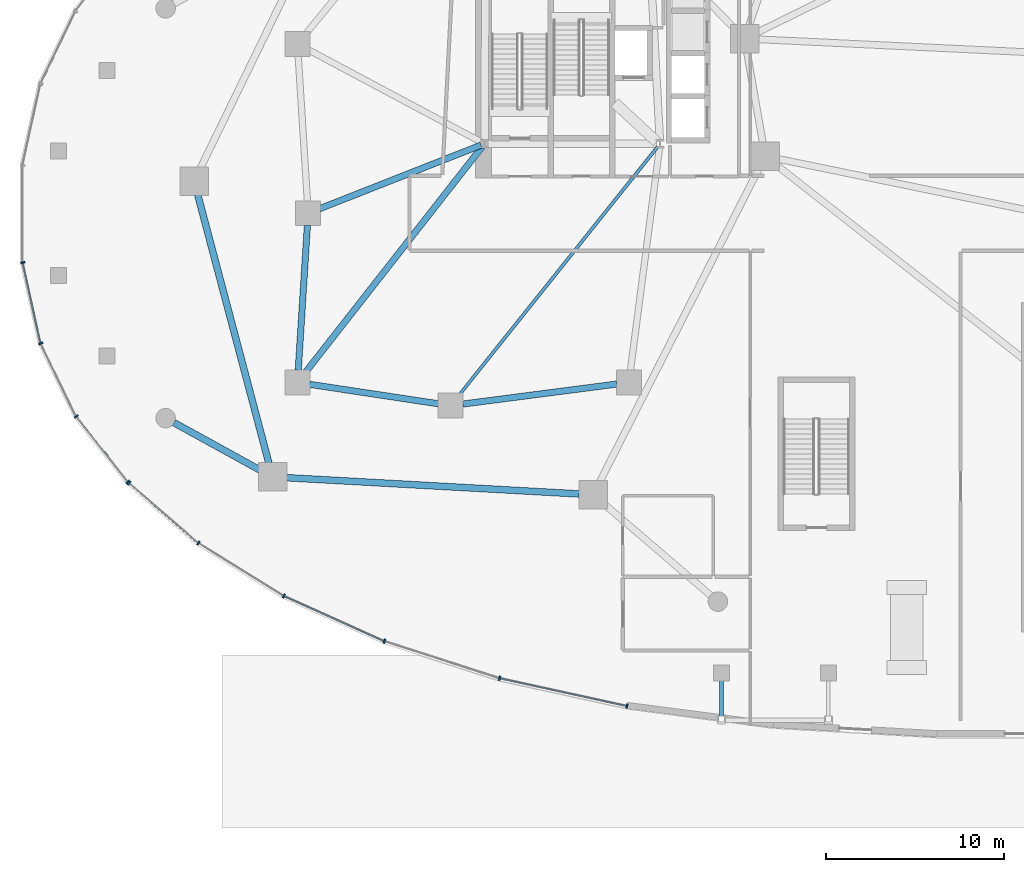
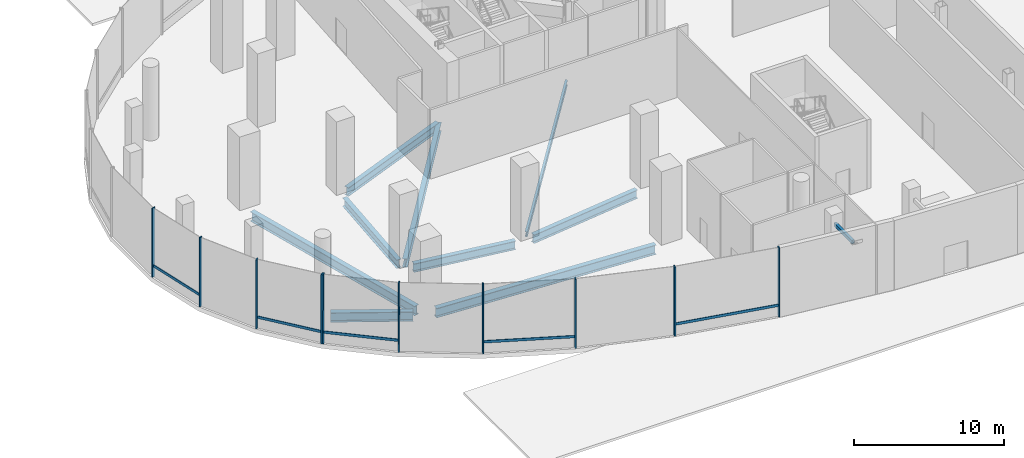
# One storey, part 3 of 20: 15 members, 10 beams, 2 elements without a shape of their own.
"""IFC4 building model written with IfcOpenShell, lengths in metres."""

import ifcopenshell
import ifcopenshell.guid

model = None  # the IFC model being written
_history = None  # IfcOwnerHistory: only IFC2X3 demands one
_inside = {}  # id of a spatial element -> (the spatial element, [elements in it])
_under = {}  # id of a project, library or spatial element -> (it, [spatial elements below it])
_declared = {}  # id of a project -> (the project, [libraries it declares])
_typed = {}  # id of a type object -> (the type object, [elements of that type])
_made_of = {}  # id of a material, layer set ... -> (it, [elements and type objects made of it])


def new_model(schema):
    """Start an empty IFC model of exactly this schema.

    Asked for "IFC4X3", IfcOpenShell would pick the latest addendum, in which some entities
    have other attributes; the version numbers below select the first issue.
    IFC2X3 requires an IfcOwnerHistory on every rooted entity: one is made here for all.
    """
    global model, _history
    if schema == "IFC4X3":
        model = ifcopenshell.file(schema_version=(4, 3, 0, 0))
    else:
        model = ifcopenshell.file(schema=schema)
    _inside.clear()
    _under.clear()
    _declared.clear()
    _typed.clear()
    _made_of.clear()
    _history = None
    if model.schema == "IFC2X3":
        org = make("IfcOrganization", Name="unknown")
        user = make(
            "IfcPersonAndOrganization",
            ThePerson=make("IfcPerson", FamilyName="unknown"),
            TheOrganization=org,
        )
        app = make(
            "IfcApplication",
            ApplicationDeveloper=org,
            Version="unknown",
            ApplicationFullName="unknown",
            ApplicationIdentifier="unknown",
        )
        _history = make(
            "IfcOwnerHistory",
            OwningUser=user,
            OwningApplication=app,
            ChangeAction="ADDED",
            CreationDate=0,
        )
    return model


def make(cls, **values):
    """One entity of the class cls with the attributes given. An attribute that is None is left unset."""
    return model.create_entity(
        cls, **{name: value for name, value in values.items() if value is not None}
    )


def rooted(cls, **values):
    """An entity with a GlobalId (a new one), such as an element, a storey or a relation."""
    return make(cls, GlobalId=ifcopenshell.guid.new(), OwnerHistory=_history, **values)


def si_unit(unit_type, name, prefix=None):
    """IfcSIUnit, for example si_unit("LENGTHUNIT", "METRE", prefix="MILLI")."""
    return make("IfcSIUnit", UnitType=unit_type, Prefix=prefix, Name=name)


def assignment(units):
    """IfcUnitAssignment: the units of a project."""
    return None if units is None else make("IfcUnitAssignment", Units=units)


def point(xyz):
    """IfcCartesianPoint."""
    return None if xyz is None else make("IfcCartesianPoint", Coordinates=xyz)


def direction(xyz):
    """IfcDirection."""
    return None if xyz is None else make("IfcDirection", DirectionRatios=xyz)


def frame(location, z_axis=None, x_axis=None):
    """IfcAxis2Placement3D, a coordinate frame: its origin and axes. An axis left out is left unset."""
    return make(
        "IfcAxis2Placement3D",
        Location=point(location),
        Axis=direction(z_axis),
        RefDirection=direction(x_axis),
    )


def frame_2d(location, x_axis=None):
    """IfcAxis2Placement2D, a coordinate frame in the plane: its origin and x axis."""
    return make(
        "IfcAxis2Placement2D", Location=point(location), RefDirection=direction(x_axis)
    )


def origin():
    """The frame at (0, 0, 0) with its axes left unset."""
    return frame((0.0, 0.0, 0.0))


def origin_2d():
    """The frame at (0, 0) in the plane with its x axis left unset."""
    return frame_2d((0.0, 0.0))


def place(relative_to, where):
    """IfcLocalPlacement: puts the frame where relative to a parent placement (None: the world)."""
    return make(
        "IfcLocalPlacement", PlacementRelTo=relative_to, RelativePlacement=where
    )


def context(
    kind, dimensions, precision=None, world=None, true_north=None, identifier=None
):
    """IfcGeometricRepresentationContext, for example the 3D "Model" context."""
    return make(
        "IfcGeometricRepresentationContext",
        ContextIdentifier=identifier,
        ContextType=kind,
        CoordinateSpaceDimension=dimensions,
        Precision=precision,
        WorldCoordinateSystem=world,
        TrueNorth=true_north,
    )


def subcontext(parent, identifier, kind, view, scale=None):
    """IfcGeometricRepresentationSubContext, for example "Body" below "Model"."""
    return make(
        "IfcGeometricRepresentationSubContext",
        ContextIdentifier=identifier,
        ContextType=kind,
        ParentContext=parent,
        TargetScale=scale,
        TargetView=view,
    )


def project(units=None, contexts=None):
    """IfcProject with its units and contexts."""
    return rooted(
        "IfcProject",
        Name="project",
        RepresentationContexts=contexts,
        UnitsInContext=assignment(units),
    )


def spatial(cls, under=None, at=None, **own):
    """A site, building, storey or space (cls), placed at a placement, below another one or the project."""
    s = rooted(cls, ObjectPlacement=at, **own)
    if under is not None:
        _under.setdefault(under.id(), (under, []))[1].append(s)
    return s


def profile(cls, at=None, kind="AREA", **sizes):
    """A parametric profile (cls). Its sizes go by their IFC names, for example OverallWidth=200.0."""
    return make(cls, ProfileType=kind, Position=at, **sizes)


def rectangle(**sizes):
    """IfcRectangleProfileDef."""
    return profile("IfcRectangleProfileDef", **sizes)


def hollow_rectangle(**sizes):
    """IfcRectangleHollowProfileDef."""
    return profile("IfcRectangleHollowProfileDef", **sizes)


def i_section(**sizes):
    """IfcIShapeProfileDef."""
    return profile("IfcIShapeProfileDef", **sizes)


def extrude(swept, where, along, depth):
    """IfcExtrudedAreaSolid: the profile swept, set in the frame where, extruded along a direction by depth."""
    return make(
        "IfcExtrudedAreaSolid",
        SweptArea=swept,
        Position=where,
        ExtrudedDirection=direction(along),
        Depth=depth,
    )


def shape(context_of_items, identifier, shape_type, items):
    """IfcShapeRepresentation: the items that make up one representation, for example the "Body"."""
    return make(
        "IfcShapeRepresentation",
        ContextOfItems=context_of_items,
        RepresentationIdentifier=identifier,
        RepresentationType=shape_type,
        Items=items,
    )


def material(Name=None, Category=None):
    """IfcMaterial."""
    return make("IfcMaterial", Name=Name, Category=Category)


def material_profile(
    of_material, cross_section, Name=None, Category=None, Priority=None
):
    """IfcMaterialProfile: a cross section and its material."""
    return make(
        "IfcMaterialProfile",
        Name=Name,
        Material=of_material,
        Profile=cross_section,
        Priority=Priority,
        Category=Category,
    )


def profile_set(profiles, Name=None, composite=None):
    """IfcMaterialProfileSet."""
    return make(
        "IfcMaterialProfileSet",
        Name=Name,
        MaterialProfiles=profiles,
        CompositeProfile=composite,
    )


def made_of(thing, what):
    """Note that an element or type object is made of a material, layer set ...; save() writes the relation."""
    if what is not None:
        _made_of.setdefault(what.id(), (what, []))[1].append(thing)
    return thing


def type_object(cls, material=None, **own):
    """A type object (cls), such as IfcWallType, which elements share."""
    return made_of(rooted(cls, **own), material)


def element(
    cls,
    number,
    at=None,
    inside=None,
    cuts=None,
    type_object=None,
    material=None,
    context=None,
    identifier="Body",
    shape_type=None,
    held_by="IfcProductDefinitionShape",
    body=None,
    shapes=None,
    **own,
):
    """One element of the class cls, such as IfcWall. Its Tag is "e" and its number.

    at: its placement. inside: the storey or other place that contains it. cuts: it is an
    opening in that element (IfcRelVoidsElement). A single representation is given by context,
    identifier, shape_type and body (its items); several are given by shapes. held_by: the class
    of the entity that holds the representations. save() writes the other relations.
    """
    e = rooted(cls, Tag="e%d" % number, ObjectPlacement=at, **own)
    if body is not None:
        shapes = [shape(context, identifier, shape_type, body)]
    if shapes is not None:
        e.Representation = make(held_by, Representations=shapes)
    if inside is not None:
        _inside.setdefault(inside.id(), (inside, []))[1].append(e)
    if cuts is not None:
        rooted(
            "IfcRelVoidsElement", RelatingBuildingElement=cuts, RelatedOpeningElement=e
        )
    if type_object is not None:
        _typed.setdefault(type_object.id(), (type_object, []))[1].append(e)
    return made_of(e, material)


def aggregate(whole, parts):
    """IfcRelAggregates: a whole, such as a stair, and the parts it consists of."""
    return rooted("IfcRelAggregates", RelatingObject=whole, RelatedObjects=parts)


def save(model, path):
    """Write the relations noted so far, then the file.

    IfcRelAggregates (storeys below a building ...), IfcRelContainedInSpatialStructure (elements
    in a storey), IfcRelDefinesByType, IfcRelAssociatesMaterial and IfcRelDeclares: one each for
    every whole, place, type object, material and project.
    """
    for whole, parts in _under.values():
        aggregate(whole, parts)
    for where, things in _inside.values():
        rooted(
            "IfcRelContainedInSpatialStructure",
            RelatedElements=things,
            RelatingStructure=where,
        )
    for kind, things in _typed.values():
        rooted("IfcRelDefinesByType", RelatedObjects=things, RelatingType=kind)
    for what, things in _made_of.values():
        rooted("IfcRelAssociatesMaterial", RelatedObjects=things, RelatingMaterial=what)
    for by, libraries in _declared.values():
        rooted("IfcRelDeclares", RelatingContext=by, RelatedDefinitions=libraries)
    model.write(path)


model = new_model("IFC4")

# Units and contexts
model_context = context("Model", 3, precision=1e-05, world=origin(), true_north=direction((0.0, 1.0)))
body_context = subcontext(model_context, "Body", "Model", "MODEL_VIEW")
ifc_project = project(units=[si_unit("LENGTHUNIT", "METRE"), si_unit("AREAUNIT", "SQUARE_METRE"), si_unit("VOLUMEUNIT", "CUBIC_METRE"), si_unit("PLANEANGLEUNIT", "RADIAN"), si_unit("MASSUNIT", "GRAM", prefix="KILO"), si_unit("THERMODYNAMICTEMPERATUREUNIT", "KELVIN"), si_unit("POWERUNIT", "WATT")], contexts=[model_context])

# Site, building, storey
site_placement = place(None, origin())
site = spatial("IfcSite", under=ifc_project, at=site_placement, CompositionType="ELEMENT")
building_placement = place(site_placement, origin())
building = spatial("IfcBuilding", under=site, at=building_placement, Name="Cundina Bronze Exchange", CompositionType="ELEMENT")
storey_placement = place(building_placement, origin())
storey = spatial("IfcBuildingStorey", under=building, at=storey_placement, Name="L00", CompositionType="ELEMENT", Elevation=0.0)

# Beams
ifc_material_1 = material(Name="Steel ASTM A500 Grade C", Category="steel")
ifc_material_profile_1 = material_profile(ifc_material_1, hollow_rectangle(XDim=0.199951171875, YDim=0.300048828125, WallThickness=0.011962890625, at=origin_2d()), Name="HSS300X200X12", Category="steel")
ifc_profile_set_1 = profile_set([ifc_material_profile_1], Name="Steel ASTM A500 Grade C")
beam_type_1 = type_object("IfcBeamType", Name="BM-CAN-HSS3020", PredefinedType="BEAM", material=ifc_profile_set_1)
beam_1_placement = place(storey_placement, frame((-18.0, -26.0, 4.64990234375), z_axis=(0.0, -1.0, 0.0), x_axis=(1.0, 0.0, 0.0)))
element("IfcBeam", 1, at=beam_1_placement, inside=storey, type_object=beam_type_1, Name="L00 South Station Entrance Canopy Outrigger 01", PredefinedType="BEAM", context=body_context, shape_type="SweptSolid", body=[
    extrude(hollow_rectangle(XDim=0.199951171875, YDim=0.300048828125, WallThickness=0.011962890625, at=origin_2d()), origin(), (0.0, 0.0, 1.0), 2.39990234375),
])
ifc_material_2 = material(Name="Steel ASTM A992 Grade 50", Category="steel")
ifc_material_profile_2 = material_profile(ifc_material_2, i_section(OverallWidth=0.178955078125, OverallDepth=0.409912109375, WebThickness=0.0087890625, FlangeThickness=0.014404296875, FilletRadius=0.010986328125, at=origin_2d()), Name="W16X45", Category="steel")
ifc_profile_set_2 = profile_set([ifc_material_profile_2], Name="Steel ASTM A992 Grade 50")
beam_type_2 = type_object("IfcBeamType", Name="BM-JST-W16", PredefinedType="JOIST", material=ifc_profile_set_2)
beam_2_placement = place(storey_placement, frame((-21.577392578125, 3.740478515625, -0.554931640625), z_axis=(-0.624374458297, -0.781125172957, 0.0), x_axis=(0.781125172957, -0.624374458297, 0.0)))
element("IfcBeam", 2, at=beam_2_placement, inside=storey, type_object=beam_type_2, Name="L00 W Interior Core-to-Ring Joist 2", PredefinedType="JOIST", context=body_context, shape_type="SweptSolid", body=[
    extrude(i_section(OverallWidth=0.178955078125, OverallDepth=0.409912109375, WebThickness=0.0087890625, FlangeThickness=0.014404296875, FilletRadius=0.010986328125, at=origin_2d()), origin(), (0.0, 0.0, 1.0), 17.927001953125),
])
ifc_material_profile_3 = material_profile(ifc_material_2, i_section(OverallWidth=0.35498046875, OverallDepth=0.695068359375, WebThickness=0.015380859375, FlangeThickness=0.02490234375, FilletRadius=0.01806640625, at=origin_2d()), Name="W27X146", Category="steel")
ifc_profile_set_3 = profile_set([ifc_material_profile_3], Name="Steel ASTM A992 Grade 50")
beam_type_3 = type_object("IfcBeamType", Name="BM-RING-W27", PredefinedType="USERDEFINED", material=ifc_profile_set_3)
beam_3_placement = place(storey_placement, frame((-41.243408203125, -0.6865234375, -0.697509765625), z_axis=(-0.063020359641, -0.998012241544, 0.0), x_axis=(0.998012241544, -0.063020359641, 0.0)))
element("IfcBeam", 3, at=beam_3_placement, inside=storey, type_object=beam_type_3, Name="L00 W Inner Structural Ring Girder 04", ObjectType="GIRDER", PredefinedType="USERDEFINED", context=body_context, shape_type="SweptSolid", body=[
    extrude(i_section(OverallWidth=0.35498046875, OverallDepth=0.695068359375, WebThickness=0.015380859375, FlangeThickness=0.02490234375, FilletRadius=0.01806640625, at=origin_2d()), origin(), (0.0, 0.0, 1.0), 8.14306640625),
])
beam_4_placement = place(storey_placement, frame((-41.11962890625, -9.602783203125, -0.697509765625), z_axis=(0.988763496177, -0.149488289268, 0.0), x_axis=(0.149488289268, 0.988763496177, 0.0)))
element("IfcBeam", 4, at=beam_4_placement, inside=storey, type_object=beam_type_3, Name="L00 W Inner Structural Ring Girder 05", ObjectType="GIRDER", PredefinedType="USERDEFINED", context=body_context, shape_type="SweptSolid", body=[
    extrude(i_section(OverallWidth=0.35498046875, OverallDepth=0.695068359375, WebThickness=0.015380859375, FlangeThickness=0.02490234375, FilletRadius=0.01806640625, at=origin_2d()), origin(), (0.0, 0.0, 1.0), 7.321533203125),
])
beam_5_placement = place(storey_placement, frame((-32.517578125, -10.711181640625, -0.697509765625), z_axis=(0.991655975758, 0.128912473185, 0.0), x_axis=(-0.128912473185, 0.991655975758, 0.0)))
element("IfcBeam", 5, at=beam_5_placement, inside=storey, type_object=beam_type_3, Name="L00 W Inner Structural Ring Girder 06", ObjectType="GIRDER", PredefinedType="USERDEFINED", context=body_context, shape_type="SweptSolid", body=[
    extrude(i_section(OverallWidth=0.35498046875, OverallDepth=0.695068359375, WebThickness=0.015380859375, FlangeThickness=0.02490234375, FilletRadius=0.01806640625, at=origin_2d()), origin(), (0.0, 0.0, 1.0), 8.7080078125),
])
beam_6_placement = place(storey_placement, frame((-31.48974609375, 3.8251953125, -0.697509765625), z_axis=(-0.930410463214, -0.366519262715, 0.0), x_axis=(0.366519262715, -0.930410463214, 0.0)))
element("IfcBeam", 6, at=beam_6_placement, inside=storey, type_object=beam_type_3, Name="L00 W Core-to-Waist Tie Beam 1", ObjectType="GIRDER", PredefinedType="USERDEFINED", context=body_context, shape_type="SweptSolid", body=[
    extrude(i_section(OverallWidth=0.35498046875, OverallDepth=0.695068359375, WebThickness=0.015380859375, FlangeThickness=0.02490234375, FilletRadius=0.01806640625, at=origin_2d()), origin(), (0.0, 0.0, 1.0), 9.74853515625),
])
beam_7_placement = place(storey_placement, frame((-31.42578125, 3.739501953125, -0.697509765625), z_axis=(-0.616784362929, -0.787132167839, 0.0), x_axis=(0.787132167839, -0.616784362929, 0.0)))
element("IfcBeam", 7, at=beam_7_placement, inside=storey, type_object=beam_type_3, Name="L00 W Core-to-Waist Tie Beam 3", ObjectType="GIRDER", PredefinedType="USERDEFINED", context=body_context, shape_type="SweptSolid", body=[
    extrude(i_section(OverallWidth=0.35498046875, OverallDepth=0.695068359375, WebThickness=0.015380859375, FlangeThickness=0.02490234375, FilletRadius=0.01806640625, at=origin_2d()), origin(), (0.0, 0.0, 1.0), 16.132080078125),
])
ifc_material_profile_4 = material_profile(ifc_material_2, i_section(OverallWidth=0.381103515625, OverallDepth=0.77294921875, WebThickness=0.0166015625, FlangeThickness=0.027099609375, FilletRadius=0.01904296875, at=origin_2d()), Name="W30X173", Category="steel")
ifc_profile_set_4 = profile_set([ifc_material_profile_4], Name="Steel ASTM A992 Grade 50")
beam_type_4 = type_object("IfcBeamType", Name="BM-RING-W30", PredefinedType="USERDEFINED", material=ifc_profile_set_4)
beam_8_placement = place(storey_placement, frame((-48.728515625, -11.75927734375, -0.736572265625), z_axis=(0.876222443353, -0.481906868351, 0.0), x_axis=(0.481906868351, 0.876222443353, 0.0)))
element("IfcBeam", 8, at=beam_8_placement, inside=storey, type_object=beam_type_4, Name="L00 Podium Colonnade Tie Beam 02", ObjectType="GIRDER", PredefinedType="USERDEFINED", context=body_context, shape_type="SweptSolid", body=[
    extrude(i_section(OverallWidth=0.381103515625, OverallDepth=0.77294921875, WebThickness=0.0166015625, FlangeThickness=0.027099609375, FilletRadius=0.01904296875, at=origin_2d()), origin(), (0.0, 0.0, 1.0), 5.521484375),
])
beam_9_placement = place(storey_placement, frame((-47.398193359375, 1.038330078125, -0.736572265625), z_axis=(0.256219519418, -0.966618620692, 0.0), x_axis=(0.966618620692, 0.256219519418, 0.0)))
element("IfcBeam", 9, at=beam_9_placement, inside=storey, type_object=beam_type_4, Name="L00 W Podium Ring Girder 08", ObjectType="GIRDER", PredefinedType="USERDEFINED", context=body_context, shape_type="SweptSolid", body=[
    extrude(i_section(OverallWidth=0.381103515625, OverallDepth=0.77294921875, WebThickness=0.0166015625, FlangeThickness=0.027099609375, FilletRadius=0.01904296875, at=origin_2d()), origin(), (0.0, 0.0, 1.0), 15.597412109375),
])
beam_10_placement = place(storey_placement, frame((-42.4130859375, -14.84375, -0.736572265625), z_axis=(0.998460261881, -0.05547166343, 0.0), x_axis=(0.05547166343, 0.998460261881, 0.0)))
element("IfcBeam", 10, at=beam_10_placement, inside=storey, type_object=beam_type_4, Name="L00 W Podium Ring Girder 10", ObjectType="GIRDER", PredefinedType="USERDEFINED", context=body_context, shape_type="SweptSolid", body=[
    extrude(i_section(OverallWidth=0.381103515625, OverallDepth=0.77294921875, WebThickness=0.0166015625, FlangeThickness=0.027099609375, FilletRadius=0.01904296875, at=origin_2d()), origin(), (0.0, 0.0, 1.0), 16.45166015625),
])

# Curtain wall, members
ifc_material_3 = material(Name="Anodised Bronze Aluminium 6063-T6", Category="aluminium")
curtain_wall_type = type_object("IfcCurtainWallType", Name="CWS-POD-CONC", PredefinedType="NOTDEFINED", material=ifc_material_3)
curtain_wall_1_placement = place(storey_placement, origin())
curtain_wall_1 = element("IfcCurtainWall", 11, at=curtain_wall_1_placement, inside=storey, type_object=curtain_wall_type, Name="L00 CW-01 Curtain Wall Run CWR-L00-04", PredefinedType="NOTDEFINED")
ifc_material_profile_5 = material_profile(ifc_material_3, rectangle(XDim=0.0849609375, YDim=0.25, at=origin_2d()), Name="AL85X250", Category="aluminium")
ifc_profile_set_5 = profile_set([ifc_material_profile_5], Name="Anodised Bronze Aluminium 6063-T6")
member_type_1 = type_object("IfcMemberType", Name="CWM-MUL-250", PredefinedType="MULLION", material=ifc_profile_set_5)
member_1_placement = place(storey_placement, frame((-57.219482421875, -2.76708984375, 0.0), z_axis=(0.0, 0.0, 1.0), x_axis=(0.214564862428, -0.976709741843, 0.0)))
member_1 = element("IfcMember", 12, at=member_1_placement, type_object=member_type_1, Name="CW-01 Mullion 3", PredefinedType="MULLION", context=body_context, shape_type="SweptSolid", body=[
    extrude(rectangle(XDim=0.0849609375, YDim=0.25, at=origin_2d()), origin(), (0.0, 0.0, 1.0), 5.64990234375),
])
member_2_placement = place(storey_placement, frame((-56.211669921875, -7.311279296875, 0.0), z_axis=(0.0, 0.0, 1.0), x_axis=(0.435702445497, -0.900090761528, 0.0)))
member_2 = element("IfcMember", 13, at=member_2_placement, type_object=member_type_1, Name="CW-01 Mullion 4", PredefinedType="MULLION", context=body_context, shape_type="SweptSolid", body=[
    extrude(rectangle(XDim=0.0849609375, YDim=0.25, at=origin_2d()), origin(), (0.0, 0.0, 1.0), 5.64990234375),
])
member_3_placement = place(storey_placement, frame((-54.21728515625, -11.408935546875, 0.0), z_axis=(0.0, 0.0, 1.0), x_axis=(0.61950505541, -0.784992666412, 0.0)))
member_3 = element("IfcMember", 14, at=member_3_placement, type_object=member_type_1, Name="CW-01 Mullion 5", PredefinedType="MULLION", context=body_context, shape_type="SweptSolid", body=[
    extrude(rectangle(XDim=0.0849609375, YDim=0.25, at=origin_2d()), origin(), (0.0, 0.0, 1.0), 5.64990234375),
])
member_4_placement = place(storey_placement, frame((-51.320068359375, -15.08056640625, 0.0), z_axis=(0.0, 0.0, 1.0), x_axis=(0.61950505541, -0.784992666412, 0.0)))
member_4 = element("IfcMember", 15, at=member_4_placement, type_object=member_type_1, Name="CW-01 End Mullion", PredefinedType="MULLION", context=body_context, shape_type="SweptSolid", body=[
    extrude(rectangle(XDim=0.0849609375, YDim=0.25, at=origin_2d()), origin(), (0.0, 0.0, 1.0), 5.64990234375),
])

curtain_wall_2_placement = place(storey_placement, origin())
curtain_wall_2 = element("IfcCurtainWall", 16, at=curtain_wall_2_placement, inside=storey, type_object=curtain_wall_type, Name="L00 CW-01 Curtain Wall Run CWR-L00-05", PredefinedType="NOTDEFINED")
member_5_placement = place(storey_placement, frame((-51.257080078125, -15.146484375, 0.0), z_axis=(0.0, 0.0, 1.0), x_axis=(0.755510544084, -0.6551364879, 0.0)))
member_5 = element("IfcMember", 17, at=member_5_placement, type_object=member_type_1, Name="CW-01 Mullion 1", PredefinedType="MULLION", context=body_context, shape_type="SweptSolid", body=[
    extrude(rectangle(XDim=0.0849609375, YDim=0.25, at=origin_2d()), origin(), (0.0, 0.0, 1.0), 5.64990234375),
])
member_6_placement = place(storey_placement, frame((-47.35986328125, -18.515380859375, 0.0), z_axis=(0.0, 0.0, 1.0), x_axis=(0.849340400263, -0.527845511945, 0.0)))
member_6 = element("IfcMember", 18, at=member_6_placement, type_object=member_type_1, Name="CW-01 Mullion 2", PredefinedType="MULLION", context=body_context, shape_type="SweptSolid", body=[
    extrude(rectangle(XDim=0.0849609375, YDim=0.25, at=origin_2d()), origin(), (0.0, 0.0, 1.0), 5.64990234375),
])
member_7_placement = place(storey_placement, frame((-42.566162109375, -21.4873046875, 0.0), z_axis=(0.0, 0.0, 1.0), x_axis=(0.911618620107, -0.411037092578, 0.0)))
member_7 = element("IfcMember", 19, at=member_7_placement, type_object=member_type_1, Name="CW-01 Mullion 3", PredefinedType="MULLION", context=body_context, shape_type="SweptSolid", body=[
    extrude(rectangle(XDim=0.0849609375, YDim=0.25, at=origin_2d()), origin(), (0.0, 0.0, 1.0), 5.64990234375),
])
member_8_placement = place(storey_placement, frame((-36.91796875, -24.027099609375, 0.0), z_axis=(0.0, 0.0, 1.0), x_axis=(0.951862260753, -0.306526078098, 0.0)))
member_8 = element("IfcMember", 20, at=member_8_placement, type_object=member_type_1, Name="CW-01 Mullion 4", PredefinedType="MULLION", context=body_context, shape_type="SweptSolid", body=[
    extrude(rectangle(XDim=0.0849609375, YDim=0.25, at=origin_2d()), origin(), (0.0, 0.0, 1.0), 5.64990234375),
])
member_9_placement = place(storey_placement, frame((-30.456787109375, -26.10302734375, 0.0), z_axis=(0.0, 0.0, 1.0), x_axis=(0.976896613081, -0.213712440794, 0.0)))
member_9 = element("IfcMember", 21, at=member_9_placement, type_object=member_type_1, Name="CW-01 Mullion 5", PredefinedType="MULLION", context=body_context, shape_type="SweptSolid", body=[
    extrude(rectangle(XDim=0.0849609375, YDim=0.25, at=origin_2d()), origin(), (0.0, 0.0, 1.0), 5.64990234375),
])
member_10_placement = place(storey_placement, frame((-23.30810546875, -27.66650390625, 0.0), z_axis=(0.0, 0.0, 1.0), x_axis=(0.976896613081, -0.213712440794, 0.0)))
member_10 = element("IfcMember", 22, at=member_10_placement, type_object=member_type_1, Name="CW-01 End Mullion", PredefinedType="MULLION", context=body_context, shape_type="SweptSolid", body=[
    extrude(rectangle(XDim=0.0849609375, YDim=0.25, at=origin_2d()), origin(), (0.0, 0.0, 1.0), 5.64990234375),
])

# Member
ifc_material_profile_6 = material_profile(ifc_material_3, rectangle(XDim=0.080078125, YDim=0.2099609375, at=origin_2d()), Name="AL80X210", Category="aluminium")
ifc_profile_set_6 = profile_set([ifc_material_profile_6], Name="Anodised Bronze Aluminium 6063-T6")
member_type_2 = type_object("IfcMemberType", Name="CWM-TRN-210", PredefinedType="USERDEFINED", material=ifc_profile_set_6)
member_11_placement = place(storey_placement, frame((-57.209716796875, -2.812744140625, 0.919921875), z_axis=(0.214548972216, -0.97671323249, 0.0), x_axis=(0.97671323249, 0.214548972216, 0.0)))
member_11 = element("IfcMember", 23, at=member_11_placement, type_object=member_type_2, Name="CW-01 Spandrel Transom 3", ObjectType="TRANSOM", PredefinedType="USERDEFINED", context=body_context, shape_type="SweptSolid", body=[
    extrude(rectangle(XDim=0.080078125, YDim=0.2099609375, at=origin_2d()), origin(), (0.0, 0.0, 1.0), 4.571044921875),
])

member_12_placement = place(storey_placement, frame((-54.1884765625, -11.445556640625, 0.919921875), z_axis=(0.619471571466, -0.785019090306, 0.0), x_axis=(0.785019090306, 0.619471571466, 0.0)))
member_12 = element("IfcMember", 24, at=member_12_placement, type_object=member_type_2, Name="CW-01 Spandrel Transom 5", ObjectType="TRANSOM", PredefinedType="USERDEFINED", context=body_context, shape_type="SweptSolid", body=[
    extrude(rectangle(XDim=0.080078125, YDim=0.2099609375, at=origin_2d()), origin(), (0.0, 0.0, 1.0), 4.58349609375),
])

aggregate(curtain_wall_1, [member_1, member_11, member_2, member_3, member_4, member_12])

member_13_placement = place(storey_placement, frame((-51.2216796875, -15.177001953125, 0.919921875), z_axis=(0.755563201238, -0.655075758164, 0.0), x_axis=(0.655075758164, 0.755563201238, 0.0)))
member_13 = element("IfcMember", 25, at=member_13_placement, type_object=member_type_2, Name="CW-01 Spandrel Transom 1", ObjectType="TRANSOM", PredefinedType="USERDEFINED", context=body_context, shape_type="SweptSolid", body=[
    extrude(rectangle(XDim=0.080078125, YDim=0.2099609375, at=origin_2d()), origin(), (0.0, 0.0, 1.0), 5.055908203125),
])

member_14_placement = place(storey_placement, frame((-42.5234375, -21.506591796875, 0.919921875), z_axis=(0.911656553379, -0.410952951908, 0.0), x_axis=(0.410952951908, 0.911656553379, 0.0)))
member_14 = element("IfcMember", 26, at=member_14_placement, type_object=member_type_2, Name="CW-01 Spandrel Transom 3", ObjectType="TRANSOM", PredefinedType="USERDEFINED", context=body_context, shape_type="SweptSolid", body=[
    extrude(rectangle(XDim=0.080078125, YDim=0.2099609375, at=origin_2d()), origin(), (0.0, 0.0, 1.0), 6.090576171875),
])

member_15_placement = place(storey_placement, frame((-30.4111328125, -26.113037109375, 0.919921875), z_axis=(0.976909937501, -0.213651524713, 0.0), x_axis=(0.213651524713, 0.976909937501, 0.0)))
member_15 = element("IfcMember", 27, at=member_15_placement, type_object=member_type_2, Name="CW-01 Spandrel Transom 5", ObjectType="TRANSOM", PredefinedType="USERDEFINED", context=body_context, shape_type="SweptSolid", body=[
    extrude(rectangle(XDim=0.080078125, YDim=0.2099609375, at=origin_2d()), origin(), (0.0, 0.0, 1.0), 7.22412109375),
])

aggregate(curtain_wall_2, [member_5, member_13, member_6, member_7, member_14, member_8, member_9, member_10, member_15])

save(model, "model.ifc")
